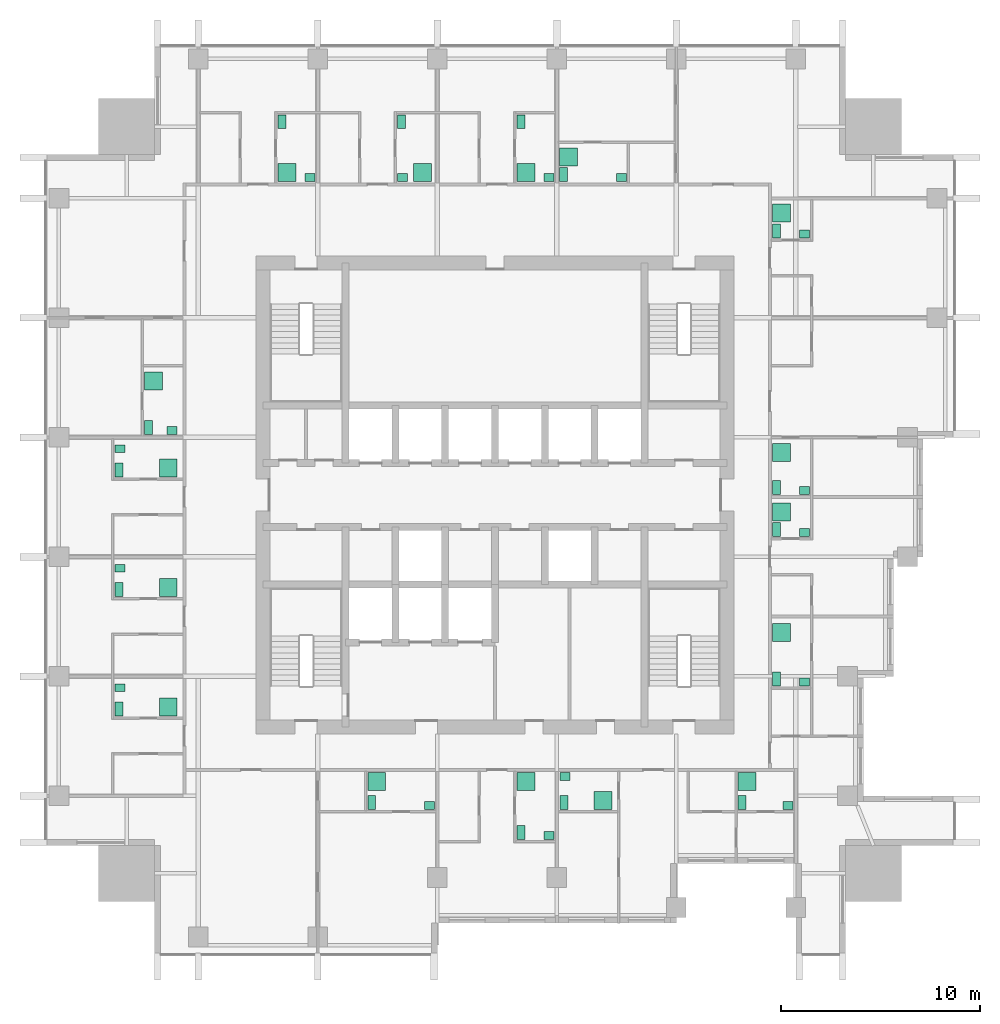
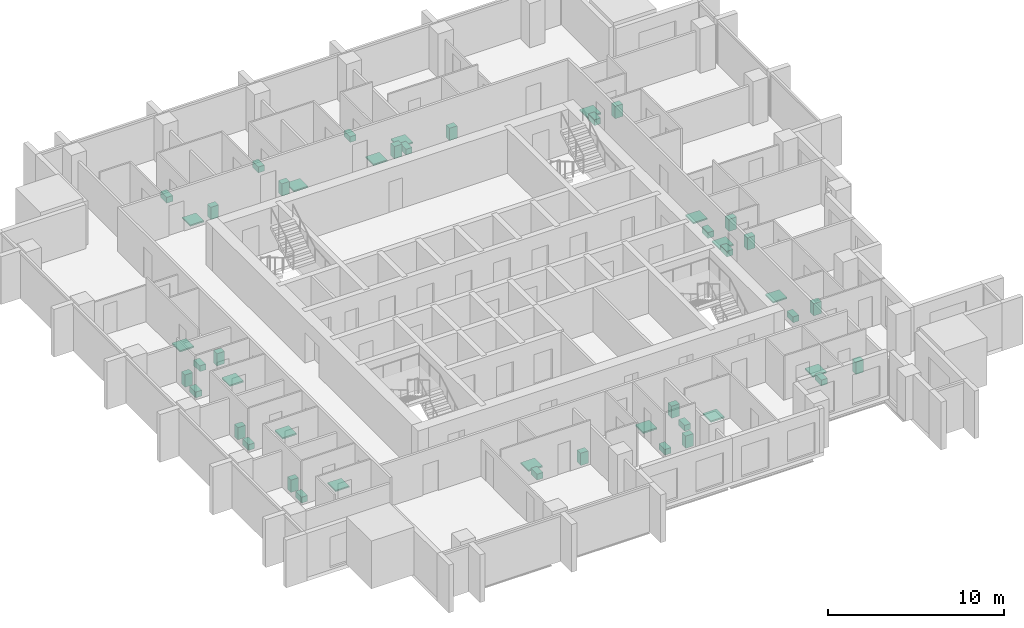
# One storey, part 11 of 11: 48 sanitary terminals.
"""IFC4 building model written with IfcOpenShell, lengths in metres."""

from ifc_helpers import new_model, si_unit, direction, frame, origin, origin_2d, place, context, subcontext, project, spatial, rectangle, extrude, element, save


model = new_model("IFC4")

# Units and contexts
model_context = context("Model", 3, precision=1e-05, world=origin(), true_north=direction((0.0, 1.0)))
body_context = subcontext(model_context, "Body", "Model", "MODEL_VIEW")
ifc_project = project(units=[si_unit("LENGTHUNIT", "METRE"), si_unit("AREAUNIT", "SQUARE_METRE"), si_unit("VOLUMEUNIT", "CUBIC_METRE"), si_unit("PLANEANGLEUNIT", "RADIAN"), si_unit("MASSUNIT", "GRAM", prefix="KILO")], contexts=[model_context])

# Site, building, storey
site_placement = place(None, origin())
site = spatial("IfcSite", under=ifc_project, at=site_placement, CompositionType="ELEMENT")
building_placement = place(site_placement, origin())
building = spatial("IfcBuilding", under=site, at=building_placement, Name="Amberfall Residences", CompositionType="ELEMENT")
storey_placement = place(building_placement, frame((0.0, 0.0, 161.5)))
storey = spatial("IfcBuildingStorey", under=building, at=storey_placement, Name="L43", CompositionType="ELEMENT", Elevation=161.5)

# Sanitary terminals
sanitary_terminal_1_placement = place(storey_placement, frame((68.31005859375, 30.06005859375, 0.0), z_axis=(0.0, 0.0, 1.0), x_axis=(1.0, 0.0, 0.0)))
element("IfcSanitaryTerminal", 1, at=sanitary_terminal_1_placement, inside=storey, Name="Water closet 4301", PredefinedType="TOILETPAN", context=body_context, shape_type="SweptSolid", body=[
    extrude(rectangle(XDim=0.39990234375, YDim=0.699951171875, at=origin_2d()), origin(), (0.0, 0.0, 1.0), 0.39990234375),
])
sanitary_terminal_2_placement = place(storey_placement, frame((71.215087890625, 29.909912109375, 0.0), z_axis=(0.0, 0.0, 1.0), x_axis=(1.0, 0.0, 0.0)))
element("IfcSanitaryTerminal", 2, at=sanitary_terminal_2_placement, inside=storey, Name="Basin 4301", PredefinedType="WASHHANDBASIN", context=body_context, shape_type="SweptSolid", body=[
    extrude(rectangle(XDim=0.5, YDim=0.39990234375, at=origin_2d()), origin(), (0.0, 0.0, 1.0), 0.85009765625),
])
sanitary_terminal_3_placement = place(storey_placement, frame((68.56005859375, 31.114990234375, 0.0), z_axis=(0.0, 0.0, 1.0), x_axis=(1.0, 0.0, 0.0)))
element("IfcSanitaryTerminal", 3, at=sanitary_terminal_3_placement, inside=storey, Name="Shower tray 4301", PredefinedType="SHOWER", context=body_context, shape_type="SweptSolid", body=[
    extrude(rectangle(XDim=0.89990234375, YDim=0.89990234375, at=origin_2d()), origin(), (0.0, 0.0, 1.0), 0.10009765625),
])
sanitary_terminal_4_placement = place(storey_placement, frame((75.81005859375, 28.56005859375, 0.0), z_axis=(0.0, 0.0, 1.0), x_axis=(1.0, 0.0, 0.0)))
element("IfcSanitaryTerminal", 4, at=sanitary_terminal_4_placement, inside=storey, Name="Water closet 4302", PredefinedType="TOILETPAN", context=body_context, shape_type="SweptSolid", body=[
    extrude(rectangle(XDim=0.39990234375, YDim=0.699951171875, at=origin_2d()), origin(), (0.0, 0.0, 1.0), 0.39990234375),
])
sanitary_terminal_5_placement = place(storey_placement, frame((77.215087890625, 28.409912109375, 0.0), z_axis=(0.0, 0.0, 1.0), x_axis=(1.0, 0.0, 0.0)))
element("IfcSanitaryTerminal", 5, at=sanitary_terminal_5_placement, inside=storey, Name="Basin 4302", PredefinedType="WASHHANDBASIN", context=body_context, shape_type="SweptSolid", body=[
    extrude(rectangle(XDim=0.5, YDim=0.39990234375, at=origin_2d()), origin(), (0.0, 0.0, 1.0), 0.85009765625),
])
sanitary_terminal_6_placement = place(storey_placement, frame((76.06005859375, 31.114990234375, 0.0), z_axis=(0.0, 0.0, 1.0), x_axis=(1.0, 0.0, 0.0)))
element("IfcSanitaryTerminal", 6, at=sanitary_terminal_6_placement, inside=storey, Name="Shower tray 4302", PredefinedType="SHOWER", context=body_context, shape_type="SweptSolid", body=[
    extrude(rectangle(XDim=0.89990234375, YDim=0.89990234375, at=origin_2d()), origin(), (0.0, 0.0, 1.0), 0.10009765625),
])
sanitary_terminal_7_placement = place(storey_placement, frame((77.9599609375, 30.06005859375, 0.0), z_axis=(0.0, 0.0, 1.0), x_axis=(1.0, 0.0, 0.0)))
element("IfcSanitaryTerminal", 7, at=sanitary_terminal_7_placement, inside=storey, Name="Water closet 4303", PredefinedType="TOILETPAN", context=body_context, shape_type="SweptSolid", body=[
    extrude(rectangle(XDim=0.39990234375, YDim=0.699951171875, at=origin_2d()), origin(), (0.0, 0.0, 1.0), 0.39990234375),
])
sanitary_terminal_8_placement = place(storey_placement, frame((78.010009765625, 31.364990234375, 0.0), z_axis=(0.0, 0.0, 1.0), x_axis=(1.0, 0.0, 0.0)))
element("IfcSanitaryTerminal", 8, at=sanitary_terminal_8_placement, inside=storey, Name="Basin 4303", PredefinedType="WASHHANDBASIN", context=body_context, shape_type="SweptSolid", body=[
    extrude(rectangle(XDim=0.5, YDim=0.39990234375, at=origin_2d()), origin(), (0.0, 0.0, 1.0), 0.85009765625),
])
sanitary_terminal_9_placement = place(storey_placement, frame((79.925537109375, 30.159912109375, 0.0), z_axis=(0.0, 0.0, 1.0), x_axis=(1.0, 0.0, 0.0)))
element("IfcSanitaryTerminal", 9, at=sanitary_terminal_9_placement, inside=storey, Name="Shower tray 4303", PredefinedType="SHOWER", context=body_context, shape_type="SweptSolid", body=[
    extrude(rectangle(XDim=0.89990234375, YDim=0.89990234375, at=origin_2d()), origin(), (0.0, 0.0, 1.0), 0.10009765625),
])
sanitary_terminal_10_placement = place(storey_placement, frame((86.909912109375, 30.06005859375, 0.0), z_axis=(0.0, 0.0, 1.0), x_axis=(1.0, 0.0, 0.0)))
element("IfcSanitaryTerminal", 10, at=sanitary_terminal_10_placement, inside=storey, Name="Water closet 4303", PredefinedType="TOILETPAN", context=body_context, shape_type="SweptSolid", body=[
    extrude(rectangle(XDim=0.39990234375, YDim=0.699951171875, at=origin_2d()), origin(), (0.0, 0.0, 1.0), 0.39990234375),
])
sanitary_terminal_11_placement = place(storey_placement, frame((89.215087890625, 29.909912109375, 0.0), z_axis=(0.0, 0.0, 1.0), x_axis=(1.0, 0.0, 0.0)))
element("IfcSanitaryTerminal", 11, at=sanitary_terminal_11_placement, inside=storey, Name="Basin 4303", PredefinedType="WASHHANDBASIN", context=body_context, shape_type="SweptSolid", body=[
    extrude(rectangle(XDim=0.5, YDim=0.39990234375, at=origin_2d()), origin(), (0.0, 0.0, 1.0), 0.85009765625),
])
sanitary_terminal_12_placement = place(storey_placement, frame((87.159912109375, 31.114990234375, 0.0), z_axis=(0.0, 0.0, 1.0), x_axis=(1.0, 0.0, 0.0)))
element("IfcSanitaryTerminal", 12, at=sanitary_terminal_12_placement, inside=storey, Name="Shower tray 4303", PredefinedType="SHOWER", context=body_context, shape_type="SweptSolid", body=[
    extrude(rectangle(XDim=0.89990234375, YDim=0.89990234375, at=origin_2d()), origin(), (0.0, 0.0, 1.0), 0.10009765625),
])
sanitary_terminal_13_placement = place(storey_placement, frame((88.635009765625, 36.260009765625, 0.0), z_axis=(0.0, 0.0, 1.0), x_axis=(1.0, 0.0, 0.0)))
element("IfcSanitaryTerminal", 13, at=sanitary_terminal_13_placement, inside=storey, Name="Water closet 4304", PredefinedType="TOILETPAN", context=body_context, shape_type="SweptSolid", body=[
    extrude(rectangle(XDim=0.39990234375, YDim=0.699951171875, at=origin_2d()), origin(), (0.0, 0.0, 1.0), 0.39990234375),
])
sanitary_terminal_14_placement = place(storey_placement, frame((90.0400390625, 36.110107421875, 0.0), z_axis=(0.0, 0.0, 1.0), x_axis=(1.0, 0.0, 0.0)))
element("IfcSanitaryTerminal", 14, at=sanitary_terminal_14_placement, inside=storey, Name="Basin 4304", PredefinedType="WASHHANDBASIN", context=body_context, shape_type="SweptSolid", body=[
    extrude(rectangle(XDim=0.5, YDim=0.39990234375, at=origin_2d()), origin(), (0.0, 0.0, 1.0), 0.85009765625),
])
sanitary_terminal_15_placement = place(storey_placement, frame((88.885009765625, 38.591796875, 0.0), z_axis=(0.0, 0.0, 1.0), x_axis=(1.0, 0.0, 0.0)))
element("IfcSanitaryTerminal", 15, at=sanitary_terminal_15_placement, inside=storey, Name="Shower tray 4304", PredefinedType="SHOWER", context=body_context, shape_type="SweptSolid", body=[
    extrude(rectangle(XDim=0.89990234375, YDim=0.89990234375, at=origin_2d()), origin(), (0.0, 0.0, 1.0), 0.10009765625),
])
sanitary_terminal_16_placement = place(storey_placement, frame((88.635009765625, 43.760009765625, 0.0), z_axis=(0.0, 0.0, 1.0), x_axis=(1.0, 0.0, 0.0)))
element("IfcSanitaryTerminal", 16, at=sanitary_terminal_16_placement, inside=storey, Name="Water closet 4305", PredefinedType="TOILETPAN", context=body_context, shape_type="SweptSolid", body=[
    extrude(rectangle(XDim=0.39990234375, YDim=0.699951171875, at=origin_2d()), origin(), (0.0, 0.0, 1.0), 0.39990234375),
])
sanitary_terminal_17_placement = place(storey_placement, frame((90.0400390625, 43.610107421875, 0.0), z_axis=(0.0, 0.0, 1.0), x_axis=(1.0, 0.0, 0.0)))
element("IfcSanitaryTerminal", 17, at=sanitary_terminal_17_placement, inside=storey, Name="Basin 4305", PredefinedType="WASHHANDBASIN", context=body_context, shape_type="SweptSolid", body=[
    extrude(rectangle(XDim=0.5, YDim=0.39990234375, at=origin_2d()), origin(), (0.0, 0.0, 1.0), 0.85009765625),
])
sanitary_terminal_18_placement = place(storey_placement, frame((88.885009765625, 44.65576171875, 0.0), z_axis=(0.0, 0.0, 1.0), x_axis=(1.0, 0.0, 0.0)))
element("IfcSanitaryTerminal", 18, at=sanitary_terminal_18_placement, inside=storey, Name="Shower tray 4305", PredefinedType="SHOWER", context=body_context, shape_type="SweptSolid", body=[
    extrude(rectangle(XDim=0.89990234375, YDim=0.89990234375, at=origin_2d()), origin(), (0.0, 0.0, 1.0), 0.10009765625),
])
sanitary_terminal_19_placement = place(storey_placement, frame((88.635009765625, 45.885009765625, 0.0), z_axis=(0.0, 0.0, 1.0), x_axis=(1.0, 0.0, 0.0)))
element("IfcSanitaryTerminal", 19, at=sanitary_terminal_19_placement, inside=storey, Name="Water closet 4306", PredefinedType="TOILETPAN", context=body_context, shape_type="SweptSolid", body=[
    extrude(rectangle(XDim=0.39990234375, YDim=0.699951171875, at=origin_2d()), origin(), (0.0, 0.0, 1.0), 0.39990234375),
])
sanitary_terminal_20_placement = place(storey_placement, frame((90.0400390625, 45.735107421875, 0.0), z_axis=(0.0, 0.0, 1.0), x_axis=(1.0, 0.0, 0.0)))
element("IfcSanitaryTerminal", 20, at=sanitary_terminal_20_placement, inside=storey, Name="Basin 4306", PredefinedType="WASHHANDBASIN", context=body_context, shape_type="SweptSolid", body=[
    extrude(rectangle(XDim=0.5, YDim=0.39990234375, at=origin_2d()), origin(), (0.0, 0.0, 1.0), 0.85009765625),
])
sanitary_terminal_21_placement = place(storey_placement, frame((88.885009765625, 47.6337890625, 0.0), z_axis=(0.0, 0.0, 1.0), x_axis=(1.0, 0.0, 0.0)))
element("IfcSanitaryTerminal", 21, at=sanitary_terminal_21_placement, inside=storey, Name="Shower tray 4306", PredefinedType="SHOWER", context=body_context, shape_type="SweptSolid", body=[
    extrude(rectangle(XDim=0.89990234375, YDim=0.89990234375, at=origin_2d()), origin(), (0.0, 0.0, 1.0), 0.10009765625),
])
sanitary_terminal_22_placement = place(storey_placement, frame((88.635009765625, 58.760009765625, 0.0), z_axis=(0.0, 0.0, 1.0), x_axis=(1.0, 0.0, 0.0)))
element("IfcSanitaryTerminal", 22, at=sanitary_terminal_22_placement, inside=storey, Name="Water closet 4307", PredefinedType="TOILETPAN", context=body_context, shape_type="SweptSolid", body=[
    extrude(rectangle(XDim=0.39990234375, YDim=0.699951171875, at=origin_2d()), origin(), (0.0, 0.0, 1.0), 0.39990234375),
])
sanitary_terminal_23_placement = place(storey_placement, frame((90.0400390625, 58.610107421875, 0.0), z_axis=(0.0, 0.0, 1.0), x_axis=(1.0, 0.0, 0.0)))
element("IfcSanitaryTerminal", 23, at=sanitary_terminal_23_placement, inside=storey, Name="Basin 4307", PredefinedType="WASHHANDBASIN", context=body_context, shape_type="SweptSolid", body=[
    extrude(rectangle(XDim=0.5, YDim=0.39990234375, at=origin_2d()), origin(), (0.0, 0.0, 1.0), 0.85009765625),
])
sanitary_terminal_24_placement = place(storey_placement, frame((88.885009765625, 59.65576171875, 0.0), z_axis=(0.0, 0.0, 1.0), x_axis=(1.0, 0.0, 0.0)))
element("IfcSanitaryTerminal", 24, at=sanitary_terminal_24_placement, inside=storey, Name="Shower tray 4307", PredefinedType="SHOWER", context=body_context, shape_type="SweptSolid", body=[
    extrude(rectangle(XDim=0.89990234375, YDim=0.89990234375, at=origin_2d()), origin(), (0.0, 0.0, 1.0), 0.10009765625),
])
sanitary_terminal_25_placement = place(storey_placement, frame((63.81005859375, 64.239990234375, 0.0), z_axis=(0.0, 0.0, 1.0), x_axis=(1.0, 0.0, 0.0)))
element("IfcSanitaryTerminal", 25, at=sanitary_terminal_25_placement, inside=storey, Name="Water closet 4308", PredefinedType="TOILETPAN", context=body_context, shape_type="SweptSolid", body=[
    extrude(rectangle(XDim=0.39990234375, YDim=0.699951171875, at=origin_2d()), origin(), (0.0, 0.0, 1.0), 0.39990234375),
])
sanitary_terminal_26_placement = place(storey_placement, frame((65.215087890625, 61.43505859375, 0.0), z_axis=(0.0, 0.0, 1.0), x_axis=(1.0, 0.0, 0.0)))
element("IfcSanitaryTerminal", 26, at=sanitary_terminal_26_placement, inside=storey, Name="Basin 4308", PredefinedType="WASHHANDBASIN", context=body_context, shape_type="SweptSolid", body=[
    extrude(rectangle(XDim=0.5, YDim=0.39990234375, at=origin_2d()), origin(), (0.0, 0.0, 1.0), 0.85009765625),
])
sanitary_terminal_27_placement = place(storey_placement, frame((64.06005859375, 61.68505859375, 0.0), z_axis=(0.0, 0.0, 1.0), x_axis=(1.0, 0.0, 0.0)))
element("IfcSanitaryTerminal", 27, at=sanitary_terminal_27_placement, inside=storey, Name="Shower tray 4308", PredefinedType="SHOWER", context=body_context, shape_type="SweptSolid", body=[
    extrude(rectangle(XDim=0.89990234375, YDim=0.89990234375, at=origin_2d()), origin(), (0.0, 0.0, 1.0), 0.10009765625),
])
sanitary_terminal_28_placement = place(storey_placement, frame((69.81005859375, 64.239990234375, 0.0), z_axis=(0.0, 0.0, 1.0), x_axis=(1.0, 0.0, 0.0)))
element("IfcSanitaryTerminal", 28, at=sanitary_terminal_28_placement, inside=storey, Name="Water closet 4309", PredefinedType="TOILETPAN", context=body_context, shape_type="SweptSolid", body=[
    extrude(rectangle(XDim=0.39990234375, YDim=0.699951171875, at=origin_2d()), origin(), (0.0, 0.0, 1.0), 0.39990234375),
])
sanitary_terminal_29_placement = place(storey_placement, frame((69.860107421875, 61.43505859375, 0.0), z_axis=(0.0, 0.0, 1.0), x_axis=(1.0, 0.0, 0.0)))
element("IfcSanitaryTerminal", 29, at=sanitary_terminal_29_placement, inside=storey, Name="Basin 4309", PredefinedType="WASHHANDBASIN", context=body_context, shape_type="SweptSolid", body=[
    extrude(rectangle(XDim=0.5, YDim=0.39990234375, at=origin_2d()), origin(), (0.0, 0.0, 1.0), 0.85009765625),
])
sanitary_terminal_30_placement = place(storey_placement, frame((70.855712890625, 61.68505859375, 0.0), z_axis=(0.0, 0.0, 1.0), x_axis=(1.0, 0.0, 0.0)))
element("IfcSanitaryTerminal", 30, at=sanitary_terminal_30_placement, inside=storey, Name="Shower tray 4309", PredefinedType="SHOWER", context=body_context, shape_type="SweptSolid", body=[
    extrude(rectangle(XDim=0.89990234375, YDim=0.89990234375, at=origin_2d()), origin(), (0.0, 0.0, 1.0), 0.10009765625),
])
sanitary_terminal_31_placement = place(storey_placement, frame((75.81005859375, 64.239990234375, 0.0), z_axis=(0.0, 0.0, 1.0), x_axis=(1.0, 0.0, 0.0)))
element("IfcSanitaryTerminal", 31, at=sanitary_terminal_31_placement, inside=storey, Name="Water closet 4310", PredefinedType="TOILETPAN", context=body_context, shape_type="SweptSolid", body=[
    extrude(rectangle(XDim=0.39990234375, YDim=0.699951171875, at=origin_2d()), origin(), (0.0, 0.0, 1.0), 0.39990234375),
])
sanitary_terminal_32_placement = place(storey_placement, frame((77.215087890625, 61.43505859375, 0.0), z_axis=(0.0, 0.0, 1.0), x_axis=(1.0, 0.0, 0.0)))
element("IfcSanitaryTerminal", 32, at=sanitary_terminal_32_placement, inside=storey, Name="Basin 4310", PredefinedType="WASHHANDBASIN", context=body_context, shape_type="SweptSolid", body=[
    extrude(rectangle(XDim=0.5, YDim=0.39990234375, at=origin_2d()), origin(), (0.0, 0.0, 1.0), 0.85009765625),
])
sanitary_terminal_33_placement = place(storey_placement, frame((76.06005859375, 61.68505859375, 0.0), z_axis=(0.0, 0.0, 1.0), x_axis=(1.0, 0.0, 0.0)))
element("IfcSanitaryTerminal", 33, at=sanitary_terminal_33_placement, inside=storey, Name="Shower tray 4310", PredefinedType="SHOWER", context=body_context, shape_type="SweptSolid", body=[
    extrude(rectangle(XDim=0.89990234375, YDim=0.89990234375, at=origin_2d()), origin(), (0.0, 0.0, 1.0), 0.10009765625),
])
sanitary_terminal_34_placement = place(storey_placement, frame((77.93505859375, 61.5849609375, 0.0), z_axis=(0.0, 0.0, 1.0), x_axis=(1.0, 0.0, 0.0)))
element("IfcSanitaryTerminal", 34, at=sanitary_terminal_34_placement, inside=storey, Name="Water closet 4311", PredefinedType="TOILETPAN", context=body_context, shape_type="SweptSolid", body=[
    extrude(rectangle(XDim=0.39990234375, YDim=0.699951171875, at=origin_2d()), origin(), (0.0, 0.0, 1.0), 0.39990234375),
])
sanitary_terminal_35_placement = place(storey_placement, frame((80.840087890625, 61.43505859375, 0.0), z_axis=(0.0, 0.0, 1.0), x_axis=(1.0, 0.0, 0.0)))
element("IfcSanitaryTerminal", 35, at=sanitary_terminal_35_placement, inside=storey, Name="Basin 4311", PredefinedType="WASHHANDBASIN", context=body_context, shape_type="SweptSolid", body=[
    extrude(rectangle(XDim=0.5, YDim=0.39990234375, at=origin_2d()), origin(), (0.0, 0.0, 1.0), 0.85009765625),
])
sanitary_terminal_36_placement = place(storey_placement, frame((78.18505859375, 62.480712890625, 0.0), z_axis=(0.0, 0.0, 1.0), x_axis=(1.0, 0.0, 0.0)))
element("IfcSanitaryTerminal", 36, at=sanitary_terminal_36_placement, inside=storey, Name="Shower tray 4311", PredefinedType="SHOWER", context=body_context, shape_type="SweptSolid", body=[
    extrude(rectangle(XDim=0.89990234375, YDim=0.89990234375, at=origin_2d()), origin(), (0.0, 0.0, 1.0), 0.10009765625),
])
sanitary_terminal_37_placement = place(storey_placement, frame((55.610107421875, 34.760009765625, 0.0), z_axis=(0.0, 0.0, 1.0), x_axis=(1.0, 0.0, 0.0)))
element("IfcSanitaryTerminal", 37, at=sanitary_terminal_37_placement, inside=storey, Name="Water closet 4312", PredefinedType="TOILETPAN", context=body_context, shape_type="SweptSolid", body=[
    extrude(rectangle(XDim=0.39990234375, YDim=0.699951171875, at=origin_2d()), origin(), (0.0, 0.0, 1.0), 0.39990234375),
])
sanitary_terminal_38_placement = place(storey_placement, frame((55.659912109375, 35.822509765625, 0.0), z_axis=(0.0, 0.0, 1.0), x_axis=(1.0, 0.0, 0.0)))
element("IfcSanitaryTerminal", 38, at=sanitary_terminal_38_placement, inside=storey, Name="Basin 4312", PredefinedType="WASHHANDBASIN", context=body_context, shape_type="SweptSolid", body=[
    extrude(rectangle(XDim=0.5, YDim=0.39990234375, at=origin_2d()), origin(), (0.0, 0.0, 1.0), 0.85009765625),
])
sanitary_terminal_39_placement = place(storey_placement, frame((58.091796875, 34.860107421875, 0.0), z_axis=(0.0, 0.0, 1.0), x_axis=(1.0, 0.0, 0.0)))
element("IfcSanitaryTerminal", 39, at=sanitary_terminal_39_placement, inside=storey, Name="Shower tray 4312", PredefinedType="SHOWER", context=body_context, shape_type="SweptSolid", body=[
    extrude(rectangle(XDim=0.89990234375, YDim=0.89990234375, at=origin_2d()), origin(), (0.0, 0.0, 1.0), 0.10009765625),
])
sanitary_terminal_40_placement = place(storey_placement, frame((55.610107421875, 40.760009765625, 0.0), z_axis=(0.0, 0.0, 1.0), x_axis=(1.0, 0.0, 0.0)))
element("IfcSanitaryTerminal", 40, at=sanitary_terminal_40_placement, inside=storey, Name="Water closet 4313", PredefinedType="TOILETPAN", context=body_context, shape_type="SweptSolid", body=[
    extrude(rectangle(XDim=0.39990234375, YDim=0.699951171875, at=origin_2d()), origin(), (0.0, 0.0, 1.0), 0.39990234375),
])
sanitary_terminal_41_placement = place(storey_placement, frame((55.659912109375, 41.822509765625, 0.0), z_axis=(0.0, 0.0, 1.0), x_axis=(1.0, 0.0, 0.0)))
element("IfcSanitaryTerminal", 41, at=sanitary_terminal_41_placement, inside=storey, Name="Basin 4313", PredefinedType="WASHHANDBASIN", context=body_context, shape_type="SweptSolid", body=[
    extrude(rectangle(XDim=0.5, YDim=0.39990234375, at=origin_2d()), origin(), (0.0, 0.0, 1.0), 0.85009765625),
])
sanitary_terminal_42_placement = place(storey_placement, frame((58.091796875, 40.860107421875, 0.0), z_axis=(0.0, 0.0, 1.0), x_axis=(1.0, 0.0, 0.0)))
element("IfcSanitaryTerminal", 42, at=sanitary_terminal_42_placement, inside=storey, Name="Shower tray 4313", PredefinedType="SHOWER", context=body_context, shape_type="SweptSolid", body=[
    extrude(rectangle(XDim=0.89990234375, YDim=0.89990234375, at=origin_2d()), origin(), (0.0, 0.0, 1.0), 0.10009765625),
])
sanitary_terminal_43_placement = place(storey_placement, frame((55.610107421875, 46.760009765625, 0.0), z_axis=(0.0, 0.0, 1.0), x_axis=(1.0, 0.0, 0.0)))
element("IfcSanitaryTerminal", 43, at=sanitary_terminal_43_placement, inside=storey, Name="Water closet 4314", PredefinedType="TOILETPAN", context=body_context, shape_type="SweptSolid", body=[
    extrude(rectangle(XDim=0.39990234375, YDim=0.699951171875, at=origin_2d()), origin(), (0.0, 0.0, 1.0), 0.39990234375),
])
sanitary_terminal_44_placement = place(storey_placement, frame((55.659912109375, 47.822509765625, 0.0), z_axis=(0.0, 0.0, 1.0), x_axis=(1.0, 0.0, 0.0)))
element("IfcSanitaryTerminal", 44, at=sanitary_terminal_44_placement, inside=storey, Name="Basin 4314", PredefinedType="WASHHANDBASIN", context=body_context, shape_type="SweptSolid", body=[
    extrude(rectangle(XDim=0.5, YDim=0.39990234375, at=origin_2d()), origin(), (0.0, 0.0, 1.0), 0.85009765625),
])
sanitary_terminal_45_placement = place(storey_placement, frame((58.091796875, 46.860107421875, 0.0), z_axis=(0.0, 0.0, 1.0), x_axis=(1.0, 0.0, 0.0)))
element("IfcSanitaryTerminal", 45, at=sanitary_terminal_45_placement, inside=storey, Name="Shower tray 4314", PredefinedType="SHOWER", context=body_context, shape_type="SweptSolid", body=[
    extrude(rectangle(XDim=0.89990234375, YDim=0.89990234375, at=origin_2d()), origin(), (0.0, 0.0, 1.0), 0.10009765625),
])
sanitary_terminal_46_placement = place(storey_placement, frame((57.110107421875, 48.885009765625, 0.0), z_axis=(0.0, 0.0, 1.0), x_axis=(1.0, 0.0, 0.0)))
element("IfcSanitaryTerminal", 46, at=sanitary_terminal_46_placement, inside=storey, Name="Water closet 4315", PredefinedType="TOILETPAN", context=body_context, shape_type="SweptSolid", body=[
    extrude(rectangle(XDim=0.39990234375, YDim=0.699951171875, at=origin_2d()), origin(), (0.0, 0.0, 1.0), 0.39990234375),
])
sanitary_terminal_47_placement = place(storey_placement, frame((58.2890625, 48.735107421875, 0.0), z_axis=(0.0, 0.0, 1.0), x_axis=(1.0, 0.0, 0.0)))
element("IfcSanitaryTerminal", 47, at=sanitary_terminal_47_placement, inside=storey, Name="Basin 4315", PredefinedType="WASHHANDBASIN", context=body_context, shape_type="SweptSolid", body=[
    extrude(rectangle(XDim=0.5, YDim=0.39990234375, at=origin_2d()), origin(), (0.0, 0.0, 1.0), 0.85009765625),
])
sanitary_terminal_48_placement = place(storey_placement, frame((57.360107421875, 51.216796875, 0.0), z_axis=(0.0, 0.0, 1.0), x_axis=(1.0, 0.0, 0.0)))
element("IfcSanitaryTerminal", 48, at=sanitary_terminal_48_placement, inside=storey, Name="Shower tray 4315", PredefinedType="SHOWER", context=body_context, shape_type="SweptSolid", body=[
    extrude(rectangle(XDim=0.89990234375, YDim=0.89990234375, at=origin_2d()), origin(), (0.0, 0.0, 1.0), 0.10009765625),
])

save(model, "model.ifc")
